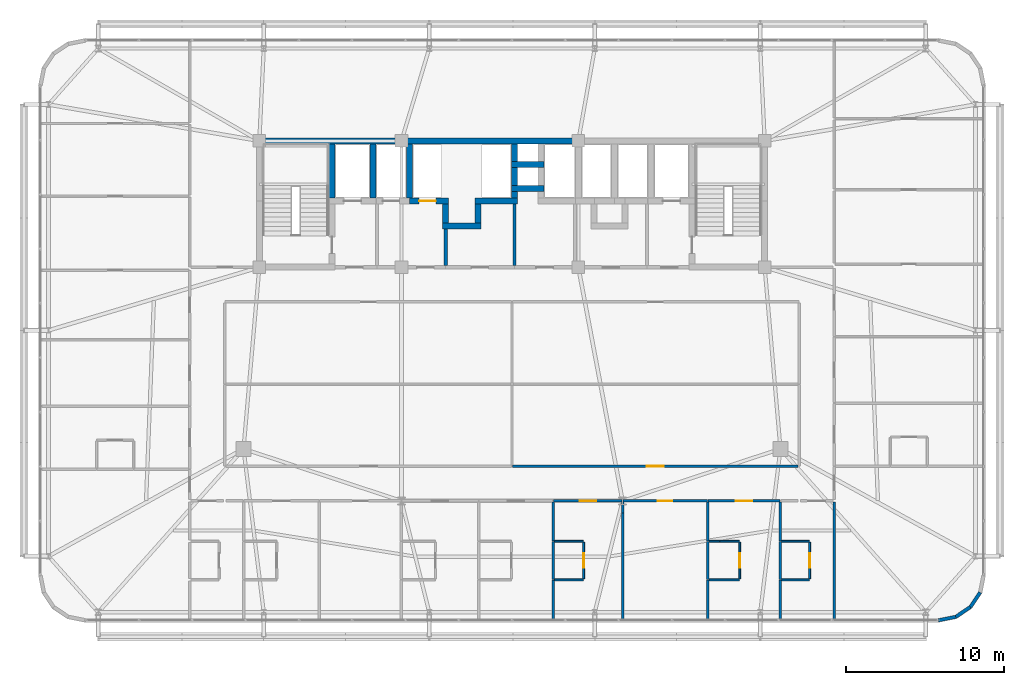
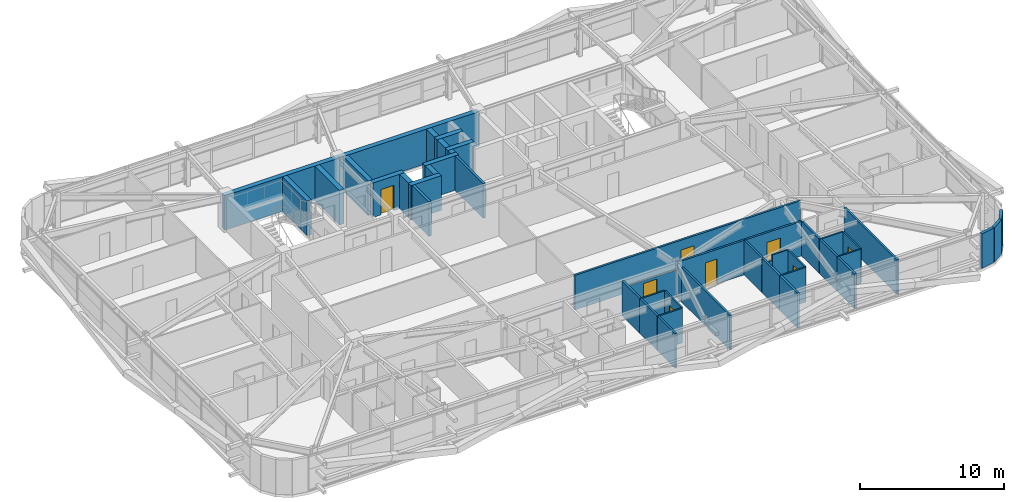
# One storey, part 54 of 59: 46 walls, 8 doors, 8 openings.
"""IFC4 building model written with IfcOpenShell, lengths in metres."""

from ifc_helpers import new_model, si_unit, direction, frame, frame_2d, origin, place, context, subcontext, project, spatial, rectangle, extrude, source, transform, mapped, material, layer, layer_set, type_object, element, fill, save


model = new_model("IFC4")

# Units and contexts
model_context = context("Model", 3, precision=1e-05, world=origin(), true_north=direction((0.0, 1.0)))
body_context = subcontext(model_context, "Body", "Model", "MODEL_VIEW")
ifc_project = project(units=[si_unit("LENGTHUNIT", "METRE"), si_unit("AREAUNIT", "SQUARE_METRE"), si_unit("VOLUMEUNIT", "CUBIC_METRE"), si_unit("PLANEANGLEUNIT", "RADIAN"), si_unit("MASSUNIT", "GRAM", prefix="KILO")], contexts=[model_context])

# Site, building, storey
site_placement = place(None, origin())
site = spatial("IfcSite", under=ifc_project, at=site_placement, CompositionType="ELEMENT")
building_placement = place(site_placement, origin())
building = spatial("IfcBuilding", under=site, at=building_placement, Name="Taldren Reach Tower", CompositionType="ELEMENT")
storey_placement = place(building_placement, frame((0.0, 0.0, 19.949951171875)))
storey = spatial("IfcBuildingStorey", under=building, at=storey_placement, Name="L05", CompositionType="ELEMENT", Elevation=19.949951171875)

# Walls
ifc_material_1 = material(Name="Pale Champagne Anodised Aluminium Cladding", Category="aluminium")
ifc_layer_1 = layer(ifc_material_1, 0.04, Name="Pale Champagne Anodised Aluminium Cladding", Category="aluminium")
ifc_material_2 = material(Name="Mineral Wool Acoustic Insulation", Category="insulation")
ifc_layer_2 = layer(ifc_material_2, 0.06, Name="Mineral Wool Acoustic Insulation", Category="insulation")
ifc_material_3 = material(Name="Steel Gr 350 (C350L0)", Category="steel")
ifc_layer_3 = layer(ifc_material_3, 0.12, Name="Steel Gr 350 (C350L0)", Category="steel")
ifc_layer_set_1 = layer_set([ifc_layer_1, ifc_layer_2, ifc_layer_3], Name="Pale Champagne Aluminium Cladding and Steel Gr 350 Stud Framing")
wall_type_1 = type_object("IfcWallType", Name="EW-CRN-220", PredefinedType="SOLIDWALL", material=ifc_layer_set_1)
shared_shape_1 = source(origin(), body_context, "Body", "SweptSolid", [
    extrude(rectangle(XDim=1.115966796875, YDim=0.219970703125, at=frame_2d((0.55810546875, 0.0))), origin(), (0.0, 0.0, 1.0), 2.929931640625),
])
for number, where, z_axis, x_axis, name in (
    (1, (62.0, 1.639892578125, 0.0), (0.0, 0.0, 1.0), (0.98077373103, 0.195148375659, 0.0), "Rounded-corner pale-metal facade wall L05-SE1"),
    (2, (63.094482421875, 1.857666015625, 0.0), (0.0, 0.0, 1.0), (0.83137650226, 0.555709556774, 0.0), "Rounded-corner pale-metal facade wall L05-SE2"),
    (3, (64.022216796875, 2.477783203125, 0.0), (0.0, 0.0, 1.0), (0.555709556774, 0.83137650226, 0.0), "Rounded-corner pale-metal facade wall L05-SE3"),
):
    element("IfcWall", number, at=place(storey_placement, frame(where, z_axis=z_axis, x_axis=x_axis)), inside=storey, type_object=wall_type_1, Name=name, PredefinedType="SOLIDWALL", context=body_context, shape_type="MappedRepresentation", body=[
        mapped(shared_shape_1, transform((0.0, 0.0, 0.0), scale=1.0)),
    ])
ifc_material_4 = material(Name="Concrete S80 (80 MPa)", Category="concrete")
ifc_layer_4 = layer(ifc_material_4, 0.3798828125)
ifc_layer_set_2 = layer_set([ifc_layer_4], Name="Concrete S80 (80 MPa)")
wall_type_2 = type_object("IfcWallType", Name="IW-CORE-380", PredefinedType="SHEAR", material=ifc_layer_set_2)
shared_shape_2 = source(origin(), body_context, "Body", "SweptSolid", [
    extrude(rectangle(XDim=9.18994140625, YDim=0.3798828125, at=frame_2d((4.594970703125, 0.0))), origin(), (0.0, 0.0, 1.0), 2.929931640625),
])
wall_1_placement = place(storey_placement, frame((18.81005859375, 32.0, 0.0), z_axis=(0.0, 0.0, 1.0), x_axis=(1.0, 0.0, 0.0)))
element("IfcWall", 4, at=wall_1_placement, inside=storey, type_object=wall_type_2, Name="Rear Core Shear Wall W-CORE-L05-NORTH1", PredefinedType="SHEAR", context=body_context, shape_type="MappedRepresentation", body=[
    mapped(shared_shape_2, transform((0.0, 0.0, 0.0), scale=1.0)),
])
shared_shape_3 = source(origin(), body_context, "Body", "SweptSolid", [
    extrude(rectangle(XDim=11.199951171875, YDim=0.3798828125, at=frame_2d((5.60009765625, 0.0))), origin(), (0.0, 0.0, 1.0), 2.929931640625),
])
wall_2_placement = place(storey_placement, frame((28.0, 32.0, 0.0), z_axis=(0.0, 0.0, 1.0), x_axis=(1.0, 0.0, 0.0)))
element("IfcWall", 5, at=wall_2_placement, inside=storey, type_object=wall_type_2, Name="Rear Core Shear Wall W-CORE-L05-NORTH2", PredefinedType="SHEAR", context=body_context, shape_type="MappedRepresentation", body=[
    mapped(shared_shape_3, transform((0.0, 0.0, 0.0), scale=1.0)),
])
shared_shape_4 = source(origin(), body_context, "Body", "SweptSolid", [
    extrude(rectangle(XDim=3.420166015625, YDim=0.3798828125, at=frame_2d((1.7099609375, 0.0))), origin(), (0.0, 0.0, 1.0), 2.929931640625),
])
for number, where, z_axis, x_axis, name in (
    (6, (23.60009765625, 28.389892578125, 0.0), (0.0, 0.0, 1.0), (0.0, 1.0, 0.0), "Rear Core Shear Wall W-INT-L05-001"),
    (7, (26.199951171875, 28.389892578125, 0.0), (0.0, 0.0, 1.0), (0.0, 1.0, 0.0), "Rear Core Shear Wall W-INT-L05-005"),
    (8, (28.5, 28.389892578125, 0.0), (0.0, 0.0, 1.0), (0.0, 1.0, 0.0), "Rear Core Shear Wall W-INT-L05-029"),
):
    element("IfcWall", number, at=place(storey_placement, frame(where, z_axis=z_axis, x_axis=x_axis)), inside=storey, type_object=wall_type_2, Name=name, PredefinedType="SHEAR", context=body_context, shape_type="MappedRepresentation", body=[
        mapped(shared_shape_4, transform((0.0, 0.0, 0.0), scale=1.0)),
    ])
ifc_material_5 = material(Name="Concrete S50 (50 MPa)", Category="concrete")
ifc_layer_5 = layer(ifc_material_5, 0.199951171875)
ifc_layer_set_3 = layer_set([ifc_layer_5], Name="Concrete S50 (50 MPa)")
wall_type_3 = type_object("IfcWallType", Name="IW-CORE-200", PredefinedType="SOLIDWALL", material=ifc_layer_set_3)
shared_shape_5 = source(origin(), body_context, "Body", "SweptSolid", [
    extrude(rectangle(XDim=3.909912109375, YDim=0.199951171875, at=frame_2d((1.955078125, 0.0))), origin(), (0.0, 0.0, 1.0), 2.929931640625),
])
wall_3_placement = place(storey_placement, frame((35.14990234375, 28.010009765625, 0.0), z_axis=(0.0, 0.0, 1.0), x_axis=(0.0, -1.0, 0.0)))
element("IfcWall", 9, at=wall_3_placement, inside=storey, type_object=wall_type_3, Name="Rear Core Shear Wall W-INT-L05-042", PredefinedType="SOLIDWALL", context=body_context, shape_type="MappedRepresentation", body=[
    mapped(shared_shape_5, transform((0.0, 0.0, 0.0), scale=1.0)),
])
shared_shape_6 = source(origin(), body_context, "Body", "SweptSolid", [
    extrude(rectangle(XDim=2.080078125, YDim=0.3798828125, at=frame_2d((1.0400390625, 0.0))), origin(), (0.0, 0.0, 1.0), 2.929931640625),
])
for number, where, z_axis, x_axis, name in (
    (10, (34.9599609375, 30.5, 0.0), (0.0, 0.0, 1.0), (1.0, 0.0, 0.0), "Rear Core Shear Wall W-INT-L05-015"),
    (11, (34.9599609375, 29.0, 0.0), (0.0, 0.0, 1.0), (1.0, 0.0, 0.0), "Rear Core Shear Wall W-INT-L05-020"),
):
    element("IfcWall", number, at=place(storey_placement, frame(where, z_axis=z_axis, x_axis=x_axis)), inside=storey, type_object=wall_type_2, Name=name, PredefinedType="SHEAR", context=body_context, shape_type="MappedRepresentation", body=[
        mapped(shared_shape_6, transform((0.0, 0.0, 0.0), scale=1.0)),
    ])
shared_shape_7 = source(origin(), body_context, "Body", "SweptSolid", [
    extrude(rectangle(XDim=1.1201171875, YDim=0.3798828125, at=frame_2d((0.56005859375, 0.0))), origin(), (0.0, 0.0, 1.0), 2.929931640625),
])
for number, where, z_axis, x_axis, name in (
    (12, (35.14990234375, 31.81005859375, 0.0), (0.0, 0.0, 1.0), (0.0, -1.0, 0.0), "Rear Core Shear Wall W-INT-L05-016"),
    (13, (35.14990234375, 30.31005859375, 0.0), (0.0, 0.0, 1.0), (0.0, -1.0, 0.0), "Rear Core Shear Wall W-INT-L05-018"),
):
    element("IfcWall", number, at=place(storey_placement, frame(where, z_axis=z_axis, x_axis=x_axis)), inside=storey, type_object=wall_type_2, Name=name, PredefinedType="SHEAR", context=body_context, shape_type="MappedRepresentation", body=[
        mapped(shared_shape_7, transform((0.0, 0.0, 0.0), scale=1.0)),
    ])
shared_shape_8 = source(origin(), body_context, "Body", "SweptSolid", [
    extrude(rectangle(XDim=1.219970703125, YDim=0.3798828125, at=frame_2d((0.60986328125, 0.0))), origin(), (0.0, 0.0, 1.0), 2.929931640625),
])
for number, where, z_axis, x_axis, name in (
    (14, (30.800048828125, 28.010009765625, 0.0), (0.0, 0.0, 1.0), (0.0, -1.0, 0.0), "Rear Core Shear Wall W-INT-L05-021"),
    (15, (32.85009765625, 26.7900390625, 0.0), (0.0, 0.0, 1.0), (0.0, 1.0, 0.0), "Rear Core Shear Wall W-INT-L05-023"),
):
    element("IfcWall", number, at=place(storey_placement, frame(where, z_axis=z_axis, x_axis=x_axis)), inside=storey, type_object=wall_type_2, Name=name, PredefinedType="SHEAR", context=body_context, shape_type="MappedRepresentation", body=[
        mapped(shared_shape_8, transform((0.0, 0.0, 0.0), scale=1.0)),
    ])
shared_shape_9 = source(origin(), body_context, "Body", "SweptSolid", [
    extrude(rectangle(XDim=2.429931640625, YDim=0.3798828125, at=frame_2d((1.21484375, 0.0))), origin(), (0.0, 0.0, 1.0), 2.929931640625),
])
wall_4_placement = place(storey_placement, frame((30.610107421875, 26.60009765625, 0.0), z_axis=(0.0, 0.0, 1.0), x_axis=(1.0, 0.0, 0.0)))
element("IfcWall", 16, at=wall_4_placement, inside=storey, type_object=wall_type_2, Name="Rear Core Shear Wall W-INT-L05-022", PredefinedType="SHEAR", context=body_context, shape_type="MappedRepresentation", body=[
    mapped(shared_shape_9, transform((0.0, 0.0, 0.0), scale=1.0)),
])

# Wall, opening, door
shared_shape_10 = source(origin(), body_context, "Body", "SweptSolid", [
    extrude(rectangle(XDim=2.489990234375, YDim=0.3798828125, at=frame_2d((1.2451171875, 0.0))), origin(), (0.0, 0.0, 1.0), 2.929931640625),
])
wall_5_placement = place(storey_placement, frame((28.5, 28.199951171875, 0.0), z_axis=(0.0, 0.0, 1.0), x_axis=(1.0, 0.0, 0.0)))
wall_5 = element("IfcWall", 17, at=wall_5_placement, inside=storey, type_object=wall_type_2, Name="Rear Core Shear Wall W-INT-L05-031", PredefinedType="SHEAR", context=body_context, shape_type="MappedRepresentation", body=[
    mapped(shared_shape_10, transform((0.0, 0.0, 0.0), scale=1.0)),
])
shared_shape_11 = source(origin(), body_context, "Body", "SweptSolid", [
    extrude(rectangle(XDim=1.050048828125, YDim=2.14990234375, at=frame_2d((0.52490234375, 1.074951171875))), frame((0.0, 0.199951171875, 0.0), z_axis=(0.0, -1.0, 0.0), x_axis=(1.0, 0.0, 0.0)), (0.0, 0.0, 1.0), 0.39990234375),
])
opening_1_placement = place(wall_5_placement, frame((0.625, 0.0, 0.0)))
opening_1 = element("IfcOpeningElement", 18, at=opening_1_placement, cuts=wall_5, Name="Opening LD-PL2", PredefinedType="OPENING", context=body_context, shape_type="MappedRepresentation", body=[
    mapped(shared_shape_11, transform((0.0, 0.0, 0.0), scale=1.0)),
])
ifc_material_6 = material(Name="Stainless Steel Gr 316 Passenger Lift Landing Door", Category="steel")
door_type_1 = type_object("IfcDoorType", Name="LD-PAS-105", OperationType="SLIDING_TO_LEFT", PredefinedType="DOOR", material=ifc_material_6)
shared_shape_12 = source(origin(), body_context, "Body", "SweptSolid", [
    extrude(rectangle(XDim=1.050048828125, YDim=2.14990234375, at=frame_2d((0.52490234375, 1.074951171875))), frame((0.0, 0.02490234375, 0.0), z_axis=(0.0, -1.0, 0.0), x_axis=(1.0, 0.0, 0.0)), (0.0, 0.0, 1.0), 0.050048828125),
])
door_1_placement = place(opening_1_placement, origin())
door_1 = element("IfcDoor", 19, at=door_1_placement, inside=storey, type_object=door_type_1, Name="Lift Landing Door LD-PL2-L05", OperationType="SLIDING_TO_LEFT", OverallHeight=2.14990234375, OverallWidth=1.050048828125, PredefinedType="DOOR", context=body_context, shape_type="MappedRepresentation", body=[
    mapped(shared_shape_12, transform((0.0, 0.0, 0.0), scale=1.0)),
])
fill(opening_1, door_1)

# Walls
shared_shape_13 = source(origin(), body_context, "Body", "SweptSolid", [
    extrude(rectangle(XDim=2.309814453125, YDim=0.199951171875, at=frame_2d((1.15478515625, 0.0))), origin(), (0.0, 0.0, 1.0), 2.929931640625),
])
wall_6_placement = place(storey_placement, frame((30.800048828125, 26.409912109375, 0.0), z_axis=(0.0, 0.0, 1.0), x_axis=(0.0, -1.0, 0.0)))
element("IfcWall", 20, at=wall_6_placement, inside=storey, type_object=wall_type_3, Name="Rear Core Shear Wall W-INT-L05-032", PredefinedType="SOLIDWALL", context=body_context, shape_type="MappedRepresentation", body=[
    mapped(shared_shape_13, transform((0.0, 0.0, 0.0), scale=1.0)),
])
shared_shape_14 = source(origin(), body_context, "Body", "SweptSolid", [
    extrude(rectangle(XDim=2.68017578125, YDim=0.3798828125, at=frame_2d((1.340087890625, 0.0))), origin(), (0.0, 0.0, 1.0), 2.929931640625),
])
wall_7_placement = place(storey_placement, frame((32.659912109375, 28.199951171875, 0.0), z_axis=(0.0, 0.0, 1.0), x_axis=(1.0, 0.0, 0.0)))
element("IfcWall", 21, at=wall_7_placement, inside=storey, type_object=wall_type_2, Name="Rear Core Shear Wall W-INT-L05-034", PredefinedType="SHEAR", context=body_context, shape_type="MappedRepresentation", body=[
    mapped(shared_shape_14, transform((0.0, 0.0, 0.0), scale=1.0)),
])
shared_shape_15 = source(origin(), body_context, "Body", "SweptSolid", [
    extrude(rectangle(XDim=0.420166015625, YDim=0.3798828125, at=frame_2d((0.2099609375, 0.0))), origin(), (0.0, 0.0, 1.0), 2.929931640625),
])
wall_8_placement = place(storey_placement, frame((35.14990234375, 28.389892578125, 0.0), z_axis=(0.0, 0.0, 1.0), x_axis=(0.0, 1.0, 0.0)))
element("IfcWall", 22, at=wall_8_placement, inside=storey, type_object=wall_type_2, Name="Rear Core Shear Wall W-INT-L05-035", PredefinedType="SHEAR", context=body_context, shape_type="MappedRepresentation", body=[
    mapped(shared_shape_15, transform((0.0, 0.0, 0.0), scale=1.0)),
])

# Wall, opening, door
ifc_material_7 = material(Name="Fire-Rated Acoustic Plasterboard Stud Wall", Category="gypsum")
ifc_layer_6 = layer(ifc_material_7, 0.159912109375)
ifc_layer_set_4 = layer_set([ifc_layer_6], Name="Fire-Rated Acoustic Plasterboard Stud Wall")
wall_type_4 = type_object("IfcWallType", Name="IW-FIRE-160", PredefinedType="PARTITIONING", material=ifc_layer_set_4)
shared_shape_16 = source(origin(), body_context, "Body", "SweptSolid", [
    extrude(rectangle(XDim=18.099853515625, YDim=0.159912109375, at=frame_2d((9.0498046875, 0.0))), origin(), (0.0, 0.0, 1.0), 2.929931640625),
])
wall_9_placement = place(storey_placement, frame((35.020263671875, 11.39990234375, 0.0), z_axis=(0.0, 0.0, 1.0), x_axis=(1.0, 0.0, 0.0)))
wall_9 = element("IfcWall", 23, at=wall_9_placement, inside=storey, type_object=wall_type_4, Name="Interior Partition Wall W-INT-L05-066", PredefinedType="PARTITIONING", context=body_context, shape_type="MappedRepresentation", body=[
    mapped(shared_shape_16, transform((0.0, 0.0, 0.0), scale=1.0)),
])
shared_shape_17 = source(origin(), body_context, "Body", "SweptSolid", [
    extrude(rectangle(XDim=1.050048828125, YDim=2.10009765625, at=frame_2d((0.52490234375, 1.050048828125))), frame((0.0, 0.08984375, 0.0), z_axis=(0.0, -1.0, 0.0), x_axis=(1.0, 0.0, 0.0)), (0.0, 0.0, 1.0), 0.179931640625),
])
opening_2_placement = place(wall_9_placement, frame((8.52490234375, 0.0, 0.0)))
opening_2 = element("IfcOpeningElement", 24, at=opening_2_placement, cuts=wall_9, Name="Opening DF-105", PredefinedType="OPENING", context=body_context, shape_type="MappedRepresentation", body=[
    mapped(shared_shape_17, transform((0.0, 0.0, 0.0), scale=1.0)),
])
ifc_material_8 = material(Name="Fire-Rated Care and Stair Exit Door")
door_type_2 = type_object("IfcDoorType", Name="ID-FIRE-105", OperationType="NOTDEFINED", PredefinedType="DOOR", material=ifc_material_8)
shared_shape_18 = source(origin(), body_context, "Body", "SweptSolid", [
    extrude(rectangle(XDim=1.050048828125, YDim=2.10009765625, at=frame_2d((0.52490234375, 1.050048828125))), frame((0.0, 0.02490234375, 0.0), z_axis=(0.0, -1.0, 0.0), x_axis=(1.0, 0.0, 0.0)), (0.0, 0.0, 1.0), 0.050048828125),
])
door_2_placement = place(opening_2_placement, origin())
door_2 = element("IfcDoor", 25, at=door_2_placement, inside=storey, type_object=door_type_2, Name="Interior Door DR-L05-023", OperationType="SINGLE_SWING_RIGHT", OverallHeight=2.10009765625, OverallWidth=1.050048828125, PredefinedType="DOOR", context=body_context, shape_type="MappedRepresentation", body=[
    mapped(shared_shape_18, transform((0.0, 0.0, 0.0), scale=1.0)),
])
fill(opening_2, door_2)

shared_shape_19 = source(origin(), body_context, "Body", "SweptSolid", [
    extrude(rectangle(XDim=4.359375, YDim=0.159912109375, at=frame_2d((2.1796875, 0.0))), origin(), (0.0, 0.0, 1.0), 2.328125),
])
wall_10_placement = place(storey_placement, frame((41.979736328125, 9.199951171875, 0.0), z_axis=(0.0, 0.0, 1.0), x_axis=(-1.0, 0.0, 0.0)))
wall_10 = element("IfcWall", 26, at=wall_10_placement, inside=storey, type_object=wall_type_4, Name="Interior Partition Wall W-INT-L05-072", PredefinedType="PARTITIONING", context=body_context, shape_type="MappedRepresentation", body=[
    mapped(shared_shape_19, transform((0.0, 0.0, 0.0), scale=1.0)),
])
opening_3_placement = place(wall_10_placement, frame((1.65478515625, 0.0, 0.0)))
opening_3 = element("IfcOpeningElement", 27, at=opening_3_placement, cuts=wall_10, Name="Opening DF-105", PredefinedType="OPENING", context=body_context, shape_type="MappedRepresentation", body=[
    mapped(shared_shape_17, transform((0.0, 0.0, 0.0), scale=1.0)),
])
door_3_placement = place(opening_3_placement, origin())
door_3 = element("IfcDoor", 28, at=door_3_placement, inside=storey, type_object=door_type_2, Name="Interior Door DR-L05-028", OperationType="SINGLE_SWING_LEFT", OverallHeight=2.10009765625, OverallWidth=1.050048828125, PredefinedType="DOOR", context=body_context, shape_type="MappedRepresentation", body=[
    mapped(shared_shape_18, transform((0.0, 0.0, 0.0), scale=1.0)),
])
fill(opening_3, door_3)

shared_shape_20 = source(origin(), body_context, "Body", "SweptSolid", [
    extrude(rectangle(XDim=5.359619140625, YDim=0.159912109375, at=frame_2d((2.6796875, 0.0))), origin(), (0.0, 0.0, 1.0), 2.929931640625),
])
wall_11_placement = place(storey_placement, frame((47.3798828125, 9.199951171875, 0.0), z_axis=(0.0, 0.0, 1.0), x_axis=(-1.0, 0.0, 0.0)))
wall_11 = element("IfcWall", 29, at=wall_11_placement, inside=storey, type_object=wall_type_4, Name="Interior Partition Wall W-INT-L05-073", PredefinedType="PARTITIONING", context=body_context, shape_type="MappedRepresentation", body=[
    mapped(shared_shape_20, transform((0.0, 0.0, 0.0), scale=1.0)),
])
shared_shape_21 = source(origin(), body_context, "Body", "SweptSolid", [
    extrude(rectangle(XDim=0.919921875, YDim=2.10009765625, at=frame_2d((0.4599609375, 1.050048828125))), frame((0.0, 0.08984375, 0.0), z_axis=(0.0, -1.0, 0.0), x_axis=(1.0, 0.0, 0.0)), (0.0, 0.0, 1.0), 0.179931640625),
])
opening_4_placement = place(wall_11_placement, frame((2.2197265625, 0.0, 0.0)))
opening_4 = element("IfcOpeningElement", 30, at=opening_4_placement, cuts=wall_11, Name="Opening DI-092", PredefinedType="OPENING", context=body_context, shape_type="MappedRepresentation", body=[
    mapped(shared_shape_21, transform((0.0, 0.0, 0.0), scale=1.0)),
])
ifc_material_9 = material(Name="Solid-Core Timber Suite Door", Category="wood")
door_type_3 = type_object("IfcDoorType", Name="ID-INT-092", OperationType="NOTDEFINED", PredefinedType="DOOR", material=ifc_material_9)
shared_shape_22 = source(origin(), body_context, "Body", "SweptSolid", [
    extrude(rectangle(XDim=0.919921875, YDim=2.10009765625, at=frame_2d((0.4599609375, 1.050048828125))), frame((0.0, 0.02490234375, 0.0), z_axis=(0.0, -1.0, 0.0), x_axis=(1.0, 0.0, 0.0)), (0.0, 0.0, 1.0), 0.050048828125),
])
door_4_placement = place(opening_4_placement, origin())
door_4 = element("IfcDoor", 31, at=door_4_placement, inside=storey, type_object=door_type_3, Name="Interior Door DR-L05-029", OperationType="SINGLE_SWING_RIGHT", OverallHeight=2.10009765625, OverallWidth=0.919921875, PredefinedType="DOOR", context=body_context, shape_type="MappedRepresentation", body=[
    mapped(shared_shape_22, transform((0.0, 0.0, 0.0), scale=1.0)),
])
fill(opening_4, door_4)

shared_shape_23 = source(origin(), body_context, "Body", "SweptSolid", [
    extrude(rectangle(XDim=4.559326171875, YDim=0.159912109375, at=frame_2d((2.27978515625, 0.0))), origin(), (0.0, 0.0, 1.0), 2.929931640625),
])
wall_12_placement = place(storey_placement, frame((51.979736328125, 9.199951171875, 0.0), z_axis=(0.0, 0.0, 1.0), x_axis=(-1.0, 0.0, 0.0)))
wall_12 = element("IfcWall", 32, at=wall_12_placement, inside=storey, type_object=wall_type_4, Name="Interior Partition Wall W-INT-L05-074", PredefinedType="PARTITIONING", context=body_context, shape_type="MappedRepresentation", body=[
    mapped(shared_shape_23, transform((0.0, 0.0, 0.0), scale=1.0)),
])
opening_5_placement = place(wall_12_placement, frame((1.754638671875, 0.0, 0.0)))
opening_5 = element("IfcOpeningElement", 33, at=opening_5_placement, cuts=wall_12, Name="Opening DF-105", PredefinedType="OPENING", context=body_context, shape_type="MappedRepresentation", body=[
    mapped(shared_shape_17, transform((0.0, 0.0, 0.0), scale=1.0)),
])
door_5_placement = place(opening_5_placement, origin())
door_5 = element("IfcDoor", 34, at=door_5_placement, inside=storey, type_object=door_type_2, Name="Interior Door DR-L05-030", OperationType="SINGLE_SWING_LEFT", OverallHeight=2.10009765625, OverallWidth=1.050048828125, PredefinedType="DOOR", context=body_context, shape_type="MappedRepresentation", body=[
    mapped(shared_shape_18, transform((0.0, 0.0, 0.0), scale=1.0)),
])
fill(opening_5, door_5)

ifc_material_10 = material(Name="Insulated Residential Stud Partition", Category="gypsum")
ifc_layer_7 = layer(ifc_material_10, 0.1201171875)
ifc_layer_set_5 = layer_set([ifc_layer_7], Name="Insulated Residential Stud Partition")
wall_type_5 = type_object("IfcWallType", Name="IW-PART-120", PredefinedType="PARTITIONING", material=ifc_layer_set_5)
shared_shape_24 = source(origin(), body_context, "Body", "SweptSolid", [
    extrude(rectangle(XDim=2.330078125, YDim=0.1201171875, at=frame_2d((1.1650390625, 0.0))), origin(), (0.0, 0.0, 1.0), 2.929931640625),
])
wall_13_placement = place(storey_placement, frame((39.535888671875, 4.260009765625, 0.0), z_axis=(0.0, 0.0, 1.0), x_axis=(0.0, 1.0, 0.0)))
wall_13 = element("IfcWall", 35, at=wall_13_placement, inside=storey, type_object=wall_type_5, Name="Interior Partition Wall W-INT-L05-108", PredefinedType="PARTITIONING", context=body_context, shape_type="MappedRepresentation", body=[
    mapped(shared_shape_24, transform((0.0, 0.0, 0.0), scale=1.0)),
])
shared_shape_25 = source(origin(), body_context, "Body", "SweptSolid", [
    extrude(rectangle(XDim=0.919921875, YDim=2.10009765625, at=frame_2d((0.4599609375, 1.050048828125))), frame((0.0, 0.070068359375, 0.0), z_axis=(0.0, -1.0, 0.0), x_axis=(1.0, 0.0, 0.0)), (0.0, 0.0, 1.0), 0.14013671875),
])
opening_6_placement = place(wall_13_placement, frame((0.705078125, 0.0, 0.0)))
opening_6 = element("IfcOpeningElement", 36, at=opening_6_placement, cuts=wall_13, Name="Opening DI-092", PredefinedType="OPENING", context=body_context, shape_type="MappedRepresentation", body=[
    mapped(shared_shape_25, transform((0.0, 0.0, 0.0), scale=1.0)),
])
door_6_placement = place(opening_6_placement, origin())
door_6 = element("IfcDoor", 37, at=door_6_placement, inside=storey, type_object=door_type_3, Name="Interior Door DR-L05-035", OperationType="SINGLE_SWING_RIGHT", OverallHeight=2.10009765625, OverallWidth=0.919921875, PredefinedType="DOOR", context=body_context, shape_type="MappedRepresentation", body=[
    mapped(shared_shape_22, transform((0.0, 0.0, 0.0), scale=1.0)),
])
fill(opening_6, door_6)

wall_14_placement = place(storey_placement, frame((49.424072265625, 4.260009765625, 0.0), z_axis=(0.0, 0.0, 1.0), x_axis=(0.0, 1.0, 0.0)))
wall_14 = element("IfcWall", 38, at=wall_14_placement, inside=storey, type_object=wall_type_5, Name="Interior Partition Wall W-INT-L05-115", PredefinedType="PARTITIONING", context=body_context, shape_type="MappedRepresentation", body=[
    mapped(shared_shape_24, transform((0.0, 0.0, 0.0), scale=1.0)),
])
opening_7_placement = place(wall_14_placement, frame((0.705078125, 0.0, 0.0)))
opening_7 = element("IfcOpeningElement", 39, at=opening_7_placement, cuts=wall_14, Name="Opening DI-092", PredefinedType="OPENING", context=body_context, shape_type="MappedRepresentation", body=[
    mapped(shared_shape_25, transform((0.0, 0.0, 0.0), scale=1.0)),
])
door_7_placement = place(opening_7_placement, origin())
door_7 = element("IfcDoor", 40, at=door_7_placement, inside=storey, type_object=door_type_3, Name="Interior Door DR-L05-036", OperationType="SINGLE_SWING_LEFT", OverallHeight=2.10009765625, OverallWidth=0.919921875, PredefinedType="DOOR", context=body_context, shape_type="MappedRepresentation", body=[
    mapped(shared_shape_22, transform((0.0, 0.0, 0.0), scale=1.0)),
])
fill(opening_7, door_7)

wall_15_placement = place(storey_placement, frame((53.85009765625, 4.260009765625, 0.0), z_axis=(0.0, 0.0, 1.0), x_axis=(0.0, 1.0, 0.0)))
wall_15 = element("IfcWall", 41, at=wall_15_placement, inside=storey, type_object=wall_type_5, Name="Interior Partition Wall W-INT-L05-121", PredefinedType="PARTITIONING", context=body_context, shape_type="MappedRepresentation", body=[
    mapped(shared_shape_24, transform((0.0, 0.0, 0.0), scale=1.0)),
])
opening_8_placement = place(wall_15_placement, frame((0.705078125, 0.0, 0.0)))
opening_8 = element("IfcOpeningElement", 42, at=opening_8_placement, cuts=wall_15, Name="Opening DI-092", PredefinedType="OPENING", context=body_context, shape_type="MappedRepresentation", body=[
    mapped(shared_shape_25, transform((0.0, 0.0, 0.0), scale=1.0)),
])
door_8_placement = place(opening_8_placement, origin())
door_8 = element("IfcDoor", 43, at=door_8_placement, inside=storey, type_object=door_type_3, Name="Interior Door DR-L05-037", OperationType="SINGLE_SWING_RIGHT", OverallHeight=2.10009765625, OverallWidth=0.919921875, PredefinedType="DOOR", context=body_context, shape_type="MappedRepresentation", body=[
    mapped(shared_shape_22, transform((0.0, 0.0, 0.0), scale=1.0)),
])
fill(opening_8, door_8)

# Walls
shared_shape_26 = source(origin(), body_context, "Body", "SweptSolid", [
    extrude(rectangle(XDim=1.749755859375, YDim=0.1201171875, at=frame_2d((0.875, 0.0))), origin(), (0.0, 0.0, 1.0), 2.929931640625),
])
for number, where, z_axis, x_axis, name in (
    (44, (52.080078125, 4.199951171875, 0.0), (0.0, 0.0, 1.0), (1.0, 0.0, 0.0), "Interior Partition Wall W-INT-L05-122"),
    (45, (53.829833984375, 6.64990234375, 0.0), (0.0, 0.0, 1.0), (-1.0, 0.0, 0.0), "Interior Partition Wall W-INT-L05-123"),
):
    element("IfcWall", number, at=place(storey_placement, frame(where, z_axis=z_axis, x_axis=x_axis)), inside=storey, type_object=wall_type_5, Name=name, PredefinedType="PARTITIONING", context=body_context, shape_type="MappedRepresentation", body=[
        mapped(shared_shape_26, transform((0.0, 0.0, 0.0), scale=1.0)),
    ])
shared_shape_27 = source(origin(), body_context, "Body", "SweptSolid", [
    extrude(rectangle(XDim=2.44775390625, YDim=0.159912109375, at=frame_2d((1.223876953125, 0.0))), origin(), (0.0, 0.0, 1.0), 2.929931640625),
])
for number, where, z_axis, x_axis, name in (
    (46, (37.60009765625, 4.1796875, 0.0), (0.0, 0.0, 1.0), (0.0, -1.0, 0.0), "Interior Partition Wall W-INT-L05-105"),
    (47, (37.60009765625, 9.117919921875, 0.0), (0.0, 0.0, 1.0), (0.0, -1.0, 0.0), "Interior Partition Wall W-INT-L05-106"),
    (48, (52.0, 4.1796875, 0.0), (0.0, 0.0, 1.0), (0.0, -1.0, 0.0), "Interior Partition Wall W-INT-L05-118"),
    (49, (52.0, 9.117919921875, 0.0), (0.0, 0.0, 1.0), (0.0, -1.0, 0.0), "Interior Partition Wall W-INT-L05-119"),
):
    element("IfcWall", number, at=place(storey_placement, frame(where, z_axis=z_axis, x_axis=x_axis)), inside=storey, type_object=wall_type_4, Name=name, PredefinedType="PARTITIONING", context=body_context, shape_type="MappedRepresentation", body=[
        mapped(shared_shape_27, transform((0.0, 0.0, 0.0), scale=1.0)),
    ])
shared_shape_28 = source(origin(), body_context, "Body", "SweptSolid", [
    extrude(rectangle(XDim=2.40966796875, YDim=0.159912109375, at=frame_2d((1.204833984375, 0.0))), origin(), (0.0, 0.0, 1.0), 2.929931640625),
])
for number, where, z_axis, x_axis, name in (
    (50, (37.60009765625, 6.6298828125, 0.0), (0.0, 0.0, 1.0), (0.0, -1.0, 0.0), "Interior Partition Wall W-INT-L05-107"),
    (51, (47.39990234375, 6.6298828125, 0.0), (0.0, 0.0, 1.0), (0.0, -1.0, 0.0), "Interior Partition Wall W-INT-L05-114"),
    (52, (52.0, 6.6298828125, 0.0), (0.0, 0.0, 1.0), (0.0, -1.0, 0.0), "Interior Partition Wall W-INT-L05-120"),
):
    element("IfcWall", number, at=place(storey_placement, frame(where, z_axis=z_axis, x_axis=x_axis)), inside=storey, type_object=wall_type_4, Name=name, PredefinedType="PARTITIONING", context=body_context, shape_type="MappedRepresentation", body=[
        mapped(shared_shape_28, transform((0.0, 0.0, 0.0), scale=1.0)),
    ])
shared_shape_29 = source(origin(), body_context, "Body", "SweptSolid", [
    extrude(rectangle(XDim=7.385986328125, YDim=0.159912109375, at=frame_2d((3.69287109375, 0.0))), origin(), (0.0, 0.0, 1.0), 2.929931640625),
])
wall_16_placement = place(storey_placement, frame((55.39990234375, 9.117919921875, 0.0), z_axis=(0.0, 0.0, 1.0), x_axis=(0.0, -1.0, 0.0)))
element("IfcWall", 53, at=wall_16_placement, inside=storey, type_object=wall_type_4, Name="Interior Partition Wall W-INT-L05-124", PredefinedType="PARTITIONING", context=body_context, shape_type="MappedRepresentation", body=[
    mapped(shared_shape_29, transform((0.0, 0.0, 0.0), scale=1.0)),
])
shared_shape_30 = source(origin(), body_context, "Body", "SweptSolid", [
    extrude(rectangle(XDim=2.44970703125, YDim=0.159912109375, at=frame_2d((1.224853515625, 0.0))), origin(), (0.0, 0.0, 1.0), 2.929931640625),
])
wall_17_placement = place(storey_placement, frame((47.39990234375, 4.1796875, 0.0), z_axis=(0.0, 0.0, 1.0), x_axis=(0.0, -1.0, 0.0)))
element("IfcWall", 54, at=wall_17_placement, inside=storey, type_object=wall_type_4, Name="Interior Partition Wall W-INT-L05-112", PredefinedType="PARTITIONING", context=body_context, shape_type="MappedRepresentation", body=[
    mapped(shared_shape_30, transform((0.0, 0.0, 0.0), scale=1.0)),
])
shared_shape_31 = source(origin(), body_context, "Body", "SweptSolid", [
    extrude(rectangle(XDim=1.8359375, YDim=0.1201171875, at=frame_2d((0.91796875, 0.0))), origin(), (0.0, 0.0, 1.0), 2.929931640625),
])
for number, where, z_axis, x_axis, name in (
    (55, (37.679931640625, 4.199951171875, 0.0), (0.0, 0.0, 1.0), (1.0, 0.0, 0.0), "Interior Partition Wall W-INT-L05-109"),
    (56, (39.515869140625, 6.64990234375, 0.0), (0.0, 0.0, 1.0), (-1.0, 0.0, 0.0), "Interior Partition Wall W-INT-L05-110"),
):
    element("IfcWall", number, at=place(storey_placement, frame(where, z_axis=z_axis, x_axis=x_axis)), inside=storey, type_object=wall_type_5, Name=name, PredefinedType="PARTITIONING", context=body_context, shape_type="MappedRepresentation", body=[
        mapped(shared_shape_31, transform((0.0, 0.0, 0.0), scale=1.0)),
    ])
shared_shape_32 = source(origin(), body_context, "Body", "SweptSolid", [
    extrude(rectangle(XDim=0.669921875, YDim=0.159912109375, at=frame_2d((0.3349609375, 0.0))), origin(), (0.0, 0.0, 1.0), 2.39697265625),
])
wall_18_placement = place(storey_placement, frame((42.0, 9.117919921875, 0.0), z_axis=(0.0, 0.0, 1.0), x_axis=(0.0, -1.0, 0.0)))
element("IfcWall", 57, at=wall_18_placement, inside=storey, type_object=wall_type_4, Name="Interior Partition Wall W-INT-L05-111", PredefinedType="PARTITIONING", context=body_context, shape_type="MappedRepresentation", body=[
    mapped(shared_shape_32, transform((0.0, 0.0, 0.0), scale=1.0)),
])
shared_shape_33 = source(origin(), body_context, "Body", "SweptSolid", [
    extrude(rectangle(XDim=6.716064453125, YDim=0.159912109375, at=frame_2d((3.35791015625, 0.0))), origin(), (0.0, 0.0, 1.0), 2.929931640625),
])
wall_19_placement = place(storey_placement, frame((42.0, 8.447998046875, 0.0), z_axis=(0.0, 0.0, 1.0), x_axis=(0.0, -1.0, 0.0)))
element("IfcWall", 58, at=wall_19_placement, inside=storey, type_object=wall_type_4, Name="Interior Partition Wall W-INT-L05-111 part 2", PredefinedType="PARTITIONING", context=body_context, shape_type="MappedRepresentation", body=[
    mapped(shared_shape_33, transform((0.0, 0.0, 0.0), scale=1.0)),
])
shared_shape_34 = source(origin(), body_context, "Body", "SweptSolid", [
    extrude(rectangle(XDim=2.449951171875, YDim=0.159912109375, at=frame_2d((1.22509765625, 0.0))), origin(), (0.0, 0.0, 1.0), 2.929931640625),
])
wall_20_placement = place(storey_placement, frame((47.39990234375, 9.1201171875, 0.0), z_axis=(0.0, 0.0, 1.0), x_axis=(0.0, -1.0, 0.0)))
element("IfcWall", 59, at=wall_20_placement, inside=storey, type_object=wall_type_4, Name="Interior Partition Wall W-INT-L05-113", PredefinedType="PARTITIONING", context=body_context, shape_type="MappedRepresentation", body=[
    mapped(shared_shape_34, transform((0.0, 0.0, 0.0), scale=1.0)),
])
shared_shape_35 = source(origin(), body_context, "Body", "SweptSolid", [
    extrude(rectangle(XDim=1.923828125, YDim=0.1201171875, at=frame_2d((0.9619140625, 0.0))), origin(), (0.0, 0.0, 1.0), 2.929931640625),
])
wall_21_placement = place(storey_placement, frame((47.47998046875, 4.199951171875, 0.0), z_axis=(0.0, 0.0, 1.0), x_axis=(1.0, 0.0, 0.0)))
element("IfcWall", 60, at=wall_21_placement, inside=storey, type_object=wall_type_5, Name="Interior Partition Wall W-INT-L05-116", PredefinedType="PARTITIONING", context=body_context, shape_type="MappedRepresentation", body=[
    mapped(shared_shape_35, transform((0.0, 0.0, 0.0), scale=1.0)),
])
shared_shape_36 = source(origin(), body_context, "Body", "SweptSolid", [
    extrude(rectangle(XDim=1.26025390625, YDim=0.1201171875, at=frame_2d((0.630126953125, 0.0))), origin(), (0.0, 0.0, 1.0), 2.929931640625),
])
wall_22_placement = place(storey_placement, frame((49.40380859375, 6.64990234375, 0.0), z_axis=(0.0, 0.0, 1.0), x_axis=(-1.0, 0.0, 0.0)))
element("IfcWall", 61, at=wall_22_placement, inside=storey, type_object=wall_type_5, Name="Interior Partition Wall W-INT-L05-117", PredefinedType="PARTITIONING", context=body_context, shape_type="MappedRepresentation", body=[
    mapped(shared_shape_36, transform((0.0, 0.0, 0.0), scale=1.0)),
])
shared_shape_37 = source(origin(), body_context, "Body", "SweptSolid", [
    extrude(rectangle(XDim=0.66357421875, YDim=0.1201171875, at=frame_2d((0.331787109375, 0.0))), origin(), (0.0, 0.0, 1.0), 2.469970703125),
])
wall_23_placement = place(storey_placement, frame((48.1435546875, 6.64990234375, 0.0), z_axis=(0.0, 0.0, 1.0), x_axis=(-1.0, 0.0, 0.0)))
element("IfcWall", 62, at=wall_23_placement, inside=storey, type_object=wall_type_5, Name="Interior Partition Wall W-INT-L05-117 part 2", PredefinedType="PARTITIONING", context=body_context, shape_type="MappedRepresentation", body=[
    mapped(shared_shape_37, transform((0.0, 0.0, 0.0), scale=1.0)),
])

save(model, "model.ifc")
